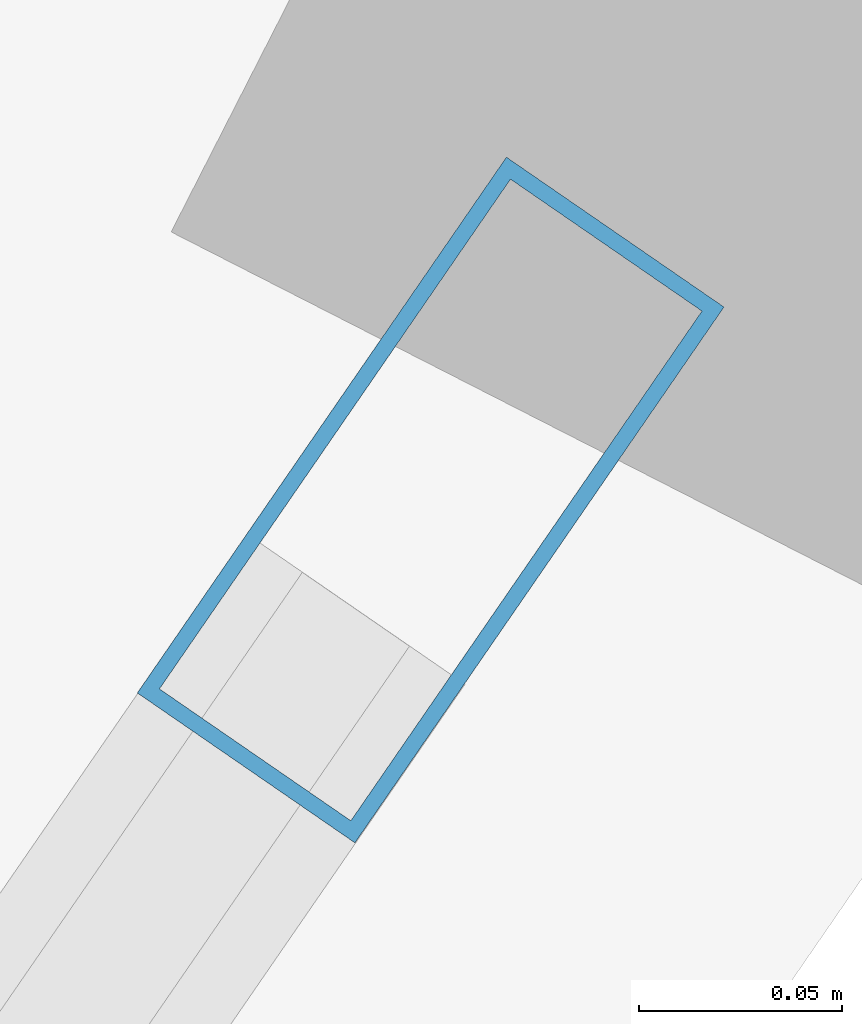
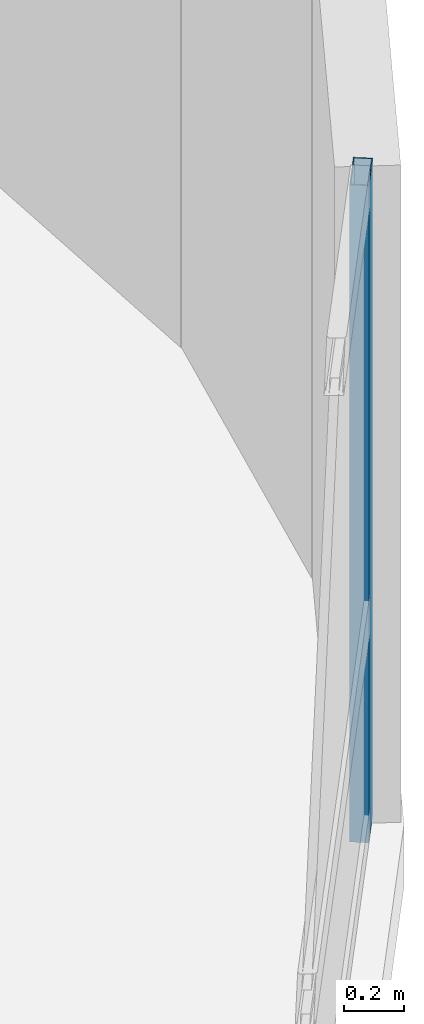
# One storey, part 11 of 24: 1 member, 1 element without a shape of its own.
"""IFC4 building model written with IfcOpenShell, lengths in metres."""

from ifc_helpers import new_model, si_unit, direction, frame, origin, origin_2d, place, context, subcontext, project, spatial, hollow_rectangle, extrude, material, layer, layer_set, material_profile, profile_set, type_object, element, aggregate, save


model = new_model("IFC4")

# Units and contexts
model_context = context("Model", 3, precision=1e-05, world=origin(), true_north=direction((0.0, 1.0)))
body_context = subcontext(model_context, "Body", "Model", "MODEL_VIEW")
ifc_project = project(units=[si_unit("LENGTHUNIT", "METRE"), si_unit("AREAUNIT", "SQUARE_METRE"), si_unit("VOLUMEUNIT", "CUBIC_METRE"), si_unit("PLANEANGLEUNIT", "RADIAN"), si_unit("MASSUNIT", "GRAM", prefix="KILO")], contexts=[model_context])

# Site, building, storey
site_placement = place(None, origin())
site = spatial("IfcSite", under=ifc_project, at=site_placement, CompositionType="ELEMENT")
building_placement = place(site_placement, origin())
building = spatial("IfcBuilding", under=site, at=building_placement, Name="Varnelok Gate Tower", CompositionType="ELEMENT")
storey_placement = place(building_placement, frame((0.0, 0.0, 67.699951171875)))
storey = spatial("IfcBuildingStorey", under=building, at=storey_placement, Name="L16", CompositionType="ELEMENT", Elevation=67.699951171875)

# Curtain wall, member
ifc_material = material(Name="Anodized Aluminum Alloy 6063-T6", Category="aluminium")
ifc_layer = layer(ifc_material, 0.179931640625)
ifc_layer_set = layer_set([ifc_layer], Name="Anodized Aluminum Alloy 6063-T6")
curtain_wall_type = type_object("IfcCurtainWallType", Name="CW3-HOTEL-VISION", PredefinedType="USERDEFINED", material=ifc_layer_set)
curtain_wall_placement = place(storey_placement, origin())
curtain_wall = element("IfcCurtainWall", 1, at=curtain_wall_placement, inside=storey, type_object=curtain_wall_type, Name="L16 East End Vision Curtain Wall", ObjectType="UNITISED CURTAIN WALL", PredefinedType="USERDEFINED")
ifc_material_profile = material_profile(ifc_material, hollow_rectangle(XDim=0.06494140625, YDim=0.159912109375, WallThickness=0.00390625, at=origin_2d()), Name="ALU160X65X4")
ifc_profile_set = profile_set([ifc_material_profile], Name="Anodized Aluminum Alloy 6063-T6")
member_type = type_object("IfcMemberType", Name="CW-MULL-160", PredefinedType="MULLION", material=ifc_profile_set)
member_placement = place(storey_placement, frame((82.52392578125, 19.33935546875, 0.0), z_axis=(0.0, 0.0, 1.0), x_axis=(0.823532685111, -0.567268822124, 0.0)))
member = element("IfcMember", 2, at=member_placement, type_object=member_type, Name="CW3 mullion 1", PredefinedType="MULLION", context=body_context, shape_type="SweptSolid", body=[
    extrude(hollow_rectangle(XDim=0.06494140625, YDim=0.159912109375, WallThickness=0.00390625, at=origin_2d()), origin(), (0.0, 0.0, 1.0), 2.66015625),
])
aggregate(curtain_wall, [member])

save(model, "model.ifc")
